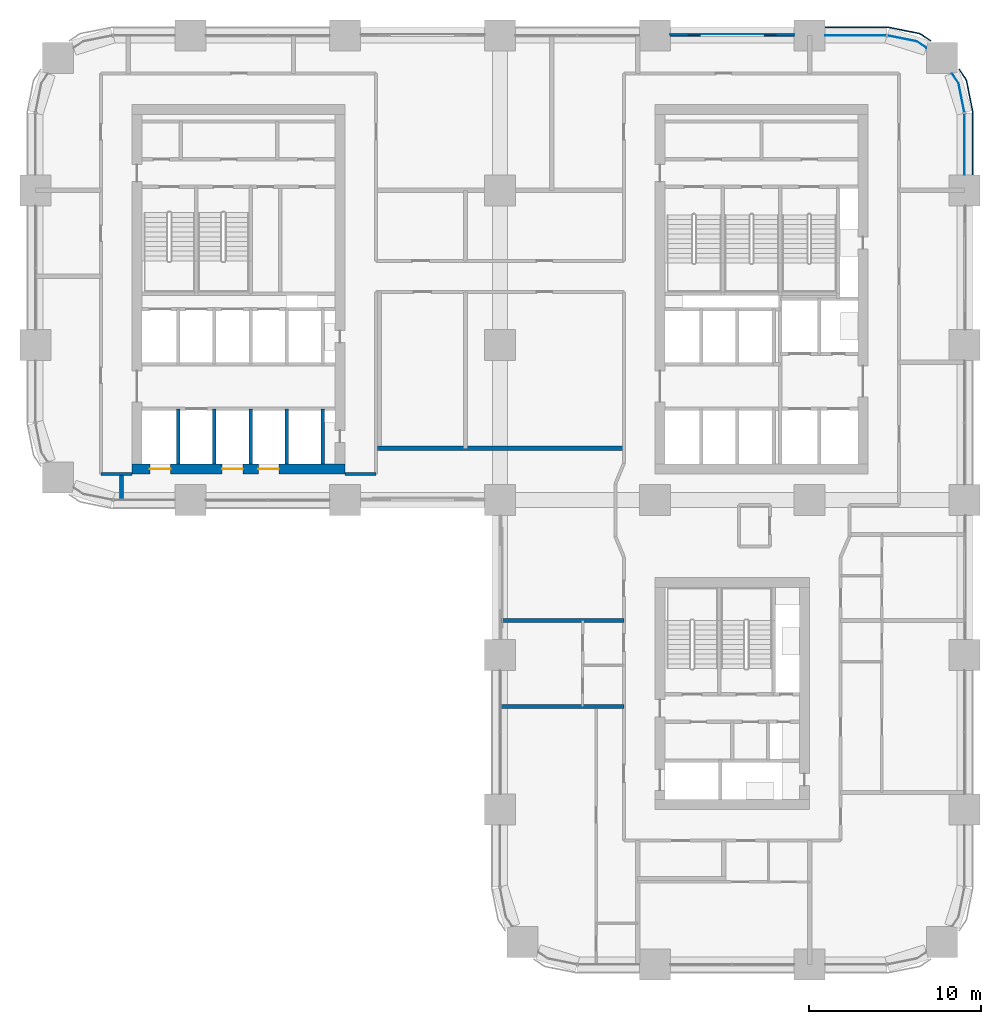
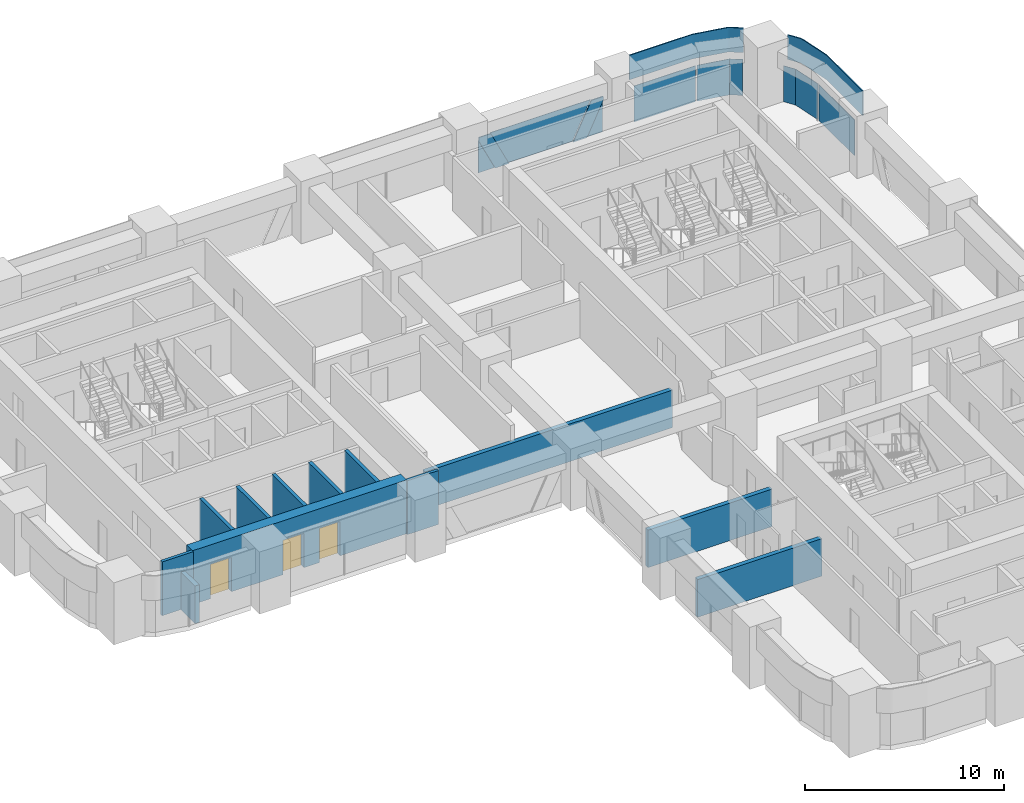
# One storey, part 12 of 20: 12 walls, 11 plates, 3 doors, 3 openings, 3 elements without a shape of their own.
"""IFC4 building model written with IfcOpenShell, lengths in metres."""

from ifc_helpers import new_model, si_unit, direction, frame, frame_2d, origin, origin_2d, place, context, subcontext, project, spatial, polyline, rectangle, outline, extrude, material, layer, layer_set, type_object, element, fill, aggregate, save


model = new_model("IFC4")

# Units and contexts
model_context = context("Model", 3, precision=1e-05, world=origin(), true_north=direction((0.0, 1.0)))
body_context = subcontext(model_context, "Body", "Model", "MODEL_VIEW")
ifc_project = project(units=[si_unit("LENGTHUNIT", "METRE"), si_unit("AREAUNIT", "SQUARE_METRE"), si_unit("VOLUMEUNIT", "CUBIC_METRE"), si_unit("PLANEANGLEUNIT", "RADIAN"), si_unit("MASSUNIT", "GRAM", prefix="KILO")], contexts=[model_context])

# Site, building, storey
site_placement = place(None, origin())
site = spatial("IfcSite", under=ifc_project, at=site_placement, CompositionType="ELEMENT")
building_placement = place(site_placement, origin())
building = spatial("IfcBuilding", under=site, at=building_placement, Name="Tessera Arch", CompositionType="ELEMENT")
storey_placement = place(building_placement, frame((0.0, 0.0, 119.60009765625)))
storey = spatial("IfcBuildingStorey", under=building, at=storey_placement, Name="L28", CompositionType="ELEMENT", Elevation=119.60009765625)

# Curtain wall, plates
ifc_material_1 = material(Name="CW2 curtain wall")
curtain_wall_type_1 = type_object("IfcCurtainWallType", Name="CW2 curtain wall", PredefinedType="NOTDEFINED", material=ifc_material_1)
curtain_wall_1_placement = place(storey_placement, origin())
curtain_wall_1 = element("IfcCurtainWall", 1, at=curtain_wall_1_placement, inside=storey, type_object=curtain_wall_type_1, Name="CW2 curtain wall E54.0/5 L28", PredefinedType="NOTDEFINED")
ifc_material_2 = material(Name="Clear low-e glass", Category="glass")
ifc_material_3 = material(Name="Clear low-e glass", Category="glass")
ifc_layer_1 = layer(ifc_material_3, 0.028076171875)
ifc_layer_set_1 = layer_set([ifc_layer_1], Name="CW2 glass panel")
plate_type_1 = type_object("IfcPlateType", Name="CW2 glass panel", PredefinedType="CURTAIN_PANEL", material=ifc_layer_set_1)
plate_1_placement = place(storey_placement, frame((54.0, 47.679931640625, 0.0), z_axis=(0.0, 0.0, 1.0), x_axis=(0.0, 1.0, 0.0)))
plate_1 = element("IfcPlate", 2, at=plate_1_placement, type_object=plate_type_1, material=ifc_material_2, Name="CW2 glass panel E54.0/5 1.1", PredefinedType="CURTAIN_PANEL", context=body_context, shape_type="SweptSolid", body=[
    extrude(rectangle(XDim=3.56005859375, YDim=0.028076171875, at=origin_2d()), origin(), (0.0, 0.0, 1.0), 2.199951171875),
])
plate_2_placement = place(storey_placement, origin())
plate_2 = element("IfcPlate", 3, at=plate_2_placement, type_object=plate_type_1, material=ifc_material_2, Name="CW2 curved glass panel E54.0/5 2.1", PredefinedType="CURTAIN_PANEL", context=body_context, shape_type="SweptSolid", body=[
    extrude(outline(polyline([(53.644287109375, 51.216552734375), (53.978515625, 49.53662109375), (54.005859375, 49.5419921875), (53.670654296875, 51.2275390625), (53.294921875, 51.789794921875), (53.271728515625, 51.774169921875), (53.644287109375, 51.216552734375)])), origin(), (0.0, 0.0, 1.0), 2.199951171875),
])

curtain_wall_2_placement = place(storey_placement, origin())
curtain_wall_2 = element("IfcCurtainWall", 4, at=curtain_wall_2_placement, inside=storey, type_object=curtain_wall_type_1, Name="CW2 curtain wall N54.0/5 L28", PredefinedType="NOTDEFINED")
plate_3_placement = place(storey_placement, frame((47.679931640625, 54.0, 0.0), z_axis=(0.0, 0.0, 1.0), x_axis=(-1.0, 0.0, 0.0)))
plate_3 = element("IfcPlate", 5, at=plate_3_placement, type_object=plate_type_1, material=ifc_material_2, Name="CW2 glass panel N54.0/5 1.1", PredefinedType="CURTAIN_PANEL", context=body_context, shape_type="SweptSolid", body=[
    extrude(rectangle(XDim=3.56005859375, YDim=0.028076171875, at=origin_2d()), origin(), (0.0, 0.0, 1.0), 2.199951171875),
])
plate_4_placement = place(storey_placement, origin())
plate_4 = element("IfcPlate", 6, at=plate_4_placement, type_object=plate_type_1, material=ifc_material_2, Name="CW2 curved glass panel N54.0/5 2.1", PredefinedType="CURTAIN_PANEL", context=body_context, shape_type="SweptSolid", body=[
    extrude(outline(polyline([(51.216552734375, 53.644287109375), (51.774169921875, 53.271728515625), (51.789794921875, 53.294921875), (51.2275390625, 53.670654296875), (49.5419921875, 54.005859375), (49.53662109375, 53.978515625), (51.216552734375, 53.644287109375)])), origin(), (0.0, 0.0, 1.0), 2.199951171875),
])

# Plate
ifc_material_4 = material(Name="Pale anodised aluminium panel", Category="aluminium")
ifc_layer_2 = layer(ifc_material_4, 0.06005859375)
ifc_layer_set_2 = layer_set([ifc_layer_2], Name="CW2 spandrel panel")
plate_type_2 = type_object("IfcPlateType", Name="CW2 spandrel panel", PredefinedType="CURTAIN_PANEL", material=ifc_layer_set_2)
plate_5_placement = place(storey_placement, frame((0.0, 0.0, 2.2998046875)))
plate_5 = element("IfcPlate", 7, at=plate_5_placement, type_object=plate_type_2, Name="CW2 spandrel panel E54.0/5", PredefinedType="CURTAIN_PANEL", context=body_context, shape_type="SweptSolid", body=[
    extrude(outline(polyline([(54.449951171875, 49.499267578125), (54.449951171875, 45.89990234375), (54.510009765625, 45.89990234375), (54.510009765625, 49.500732421875), (54.507568359375, 49.550048828125), (54.500244140625, 49.598876953125), (54.157470703125, 51.322265625), (54.1455078125, 51.3701171875), (54.128662109375, 51.417236328125), (54.107177734375, 51.462646484375), (54.08203125, 51.5048828125), (53.707275390625, 52.0654296875), (53.657470703125, 52.031982421875), (54.03125, 51.47265625), (54.05419921875, 51.434326171875), (54.0732421875, 51.394287109375), (54.088134765625, 51.352783203125), (54.09912109375, 51.30908203125), (54.441162109375, 49.588623046875), (54.44775390625, 49.544189453125), (54.449951171875, 49.499267578125)])), origin(), (0.0, 0.0, 1.0), 1.5),
])

aggregate(curtain_wall_1, [plate_1, plate_2, plate_5])

plate_6_placement = place(storey_placement, frame((0.0, 0.0, 2.2998046875)))
plate_6 = element("IfcPlate", 8, at=plate_6_placement, type_object=plate_type_2, Name="CW2 spandrel panel N54.0/5", PredefinedType="CURTAIN_PANEL", context=body_context, shape_type="SweptSolid", body=[
    extrude(outline(polyline([(51.47265625, 54.03125), (52.031982421875, 53.657470703125), (52.0654296875, 53.707275390625), (51.5048828125, 54.08203125), (51.462646484375, 54.107177734375), (51.417236328125, 54.128662109375), (51.3701171875, 54.1455078125), (51.322265625, 54.157470703125), (49.598876953125, 54.500244140625), (49.550048828125, 54.507568359375), (49.500732421875, 54.510009765625), (45.89990234375, 54.510009765625), (45.89990234375, 54.449951171875), (49.499267578125, 54.449951171875), (49.544189453125, 54.44775390625), (49.588623046875, 54.441162109375), (51.30908203125, 54.09912109375), (51.352783203125, 54.088134765625), (51.394287109375, 54.0732421875), (51.434326171875, 54.05419921875), (51.47265625, 54.03125)])), origin(), (0.0, 0.0, 1.0), 1.5),
])

aggregate(curtain_wall_2, [plate_3, plate_4, plate_6])

# Curtain wall, plates
ifc_material_5 = material(Name="CW3 curtain wall")
curtain_wall_type_2 = type_object("IfcCurtainWallType", Name="CW3 curtain wall", PredefinedType="NOTDEFINED", material=ifc_material_5)
curtain_wall_3_placement = place(storey_placement, origin())
curtain_wall_3 = element("IfcCurtainWall", 9, at=curtain_wall_3_placement, inside=storey, type_object=curtain_wall_type_2, Name="CW3 curtain wall N54.0/0 L28", PredefinedType="NOTDEFINED")
ifc_material_6 = material(Name="Pale anodised aluminium panel", Category="aluminium")
ifc_layer_3 = layer(ifc_material_6, 0.06005859375)
ifc_layer_set_3 = layer_set([ifc_layer_3], Name="CW3 diagonal panel")
plate_type_3 = type_object("IfcPlateType", Name="CW3 diagonal panel", PredefinedType="CURTAIN_PANEL", material=ifc_layer_set_3)
plate_7_placement = place(storey_placement, frame((36.89990234375, 54.030029296875, 2.199951171875), z_axis=(0.0, 1.0, 0.0), x_axis=(1.0, 0.0, 0.0)))
plate_7 = element("IfcPlate", 10, at=plate_7_placement, type_object=plate_type_3, Name="CW3 diagonal panel N54.0/0 1", PredefinedType="CURTAIN_PANEL", context=body_context, shape_type="SweptSolid", body=[
    extrude(outline(polyline([(0.0, 0.0), (0.688232421875, 0.0), (1.744140625, 2.199951171875), (0.944091796875, 2.199951171875), (0.0, 0.233642578125), (0.0, 0.0)])), origin(), (0.0, 0.0, -1.0), 0.06005859375),
])
plate_8_placement = place(storey_placement, frame((44.10009765625, 54.030029296875, 2.199951171875), z_axis=(0.0, 1.0, 0.0), x_axis=(0.0, 0.0, -1.0)))
plate_8 = element("IfcPlate", 11, at=plate_8_placement, type_object=plate_type_3, Name="CW3 diagonal panel N54.0/0 2", PredefinedType="CURTAIN_PANEL", context=body_context, shape_type="SweptSolid", body=[
    extrude(outline(polyline([(0.0, 0.0), (0.233642578125, 0.0), (2.199951171875, 0.944091796875), (2.199951171875, 1.744140625), (0.0, 0.688232421875), (0.0, 0.0)])), origin(), (0.0, 0.0, -1.0), 0.06005859375),
])
ifc_material_7 = material(Name="Clear low-e glass", Category="glass")
ifc_layer_4 = layer(ifc_material_7, 0.028076171875)
ifc_layer_set_4 = layer_set([ifc_layer_4], Name="CW3 glass panel")
plate_type_4 = type_object("IfcPlateType", Name="CW3 glass panel", PredefinedType="CURTAIN_PANEL", material=ifc_layer_set_4)
plate_9_placement = place(storey_placement, frame((44.10009765625, 54.05810546875, 0.0), z_axis=(0.0, 1.0, 0.0), x_axis=(-1.0, 0.0, 0.0)))
plate_9 = element("IfcPlate", 12, at=plate_9_placement, type_object=plate_type_4, material=ifc_material_2, Name="CW3 triangulated glass panel N54.0/0 1", PredefinedType="CURTAIN_PANEL", context=body_context, shape_type="SweptSolid", body=[
    extrude(outline(polyline([(0.0, 0.0), (0.944091796875, 0.0), (0.0, 1.96630859375), (0.0, 0.0)])), origin(), (0.0, 0.0, -1.0), 0.028076171875),
])
plate_10_placement = place(storey_placement, frame((37.588134765625, 54.0859375, 2.199951171875), z_axis=(0.0, 1.0, 0.0), x_axis=(1.0, 0.0, 0.0)))
plate_10 = element("IfcPlate", 13, at=plate_10_placement, type_object=plate_type_4, material=ifc_material_2, Name="CW3 triangulated glass panel N54.0/0 2", PredefinedType="CURTAIN_PANEL", context=body_context, shape_type="SweptSolid", body=[
    extrude(outline(polyline([(0.0, 0.0), (5.82373046875, 0.0), (4.767822265625, 2.199951171875), (1.055908203125, 2.199951171875), (0.0, 0.0)])), origin(), (0.0, 0.0, -1.0), 0.028076171875),
])
plate_11_placement = place(storey_placement, frame((36.89990234375, 54.05810546875, 0.0), z_axis=(0.0, 1.0, 0.0), x_axis=(0.0, 0.0, 1.0)))
plate_11 = element("IfcPlate", 14, at=plate_11_placement, type_object=plate_type_4, material=ifc_material_2, Name="CW3 triangulated glass panel N54.0/0 3", PredefinedType="CURTAIN_PANEL", context=body_context, shape_type="SweptSolid", body=[
    extrude(outline(polyline([(0.0, 0.0), (1.96630859375, 0.0), (0.0, 0.944091796875), (0.0, 0.0)])), origin(), (0.0, 0.0, -1.0), 0.028076171875),
])
aggregate(curtain_wall_3, [plate_9, plate_10, plate_11, plate_7, plate_8])

# Wall, openings, doors
ifc_material_8 = material(Name="Concrete C70/85", Category="concrete")
ifc_layer_5 = layer(ifc_material_8, 0.60009765625)
ifc_layer_set_5 = layer_set([ifc_layer_5], Name="Core shell wall 600 C70-85")
wall_type_1 = type_object("IfcWallType", Name="Core shell wall 600 C70-85", PredefinedType="SHEAR", material=ifc_layer_set_5)
wall_1_placement = place(storey_placement, frame((5.60009765625, 28.800048828125, 0.0), z_axis=(0.0, 0.0, 1.0), x_axis=(1.0, 0.0, 0.0)))
wall_1 = element("IfcWall", 15, at=wall_1_placement, inside=storey, type_object=wall_type_1, Name="L28 C2 core wall S", PredefinedType="SHEAR", context=body_context, shape_type="SweptSolid", body=[
    extrude(rectangle(XDim=12.39990234375, YDim=0.60009765625, at=frame_2d((6.199951171875, 0.0))), origin(), (0.0, 0.0, 1.0), 3.2998046875),
])
opening_1_placement = place(wall_1_placement, frame((1.050048828125, 0.0, 0.0)))
opening_1 = element("IfcOpeningElement", 16, at=opening_1_placement, cuts=wall_1, Name="Opening L28-C14", PredefinedType="OPENING", context=body_context, shape_type="SweptSolid", body=[
    extrude(rectangle(XDim=1.199951171875, YDim=2.10009765625, at=frame_2d((0.60009765625, 1.050048828125))), frame((0.0, 0.31005859375, 0.0), z_axis=(0.0, -1.0, 0.0), x_axis=(1.0, 0.0, 0.0)), (0.0, 0.0, 1.0), 0.6201171875),
])
opening_2_placement = place(wall_1_placement, frame((5.25, 0.0, 0.0)))
opening_2 = element("IfcOpeningElement", 17, at=opening_2_placement, cuts=wall_1, Name="Opening L28-C16", PredefinedType="OPENING", context=body_context, shape_type="SweptSolid", body=[
    extrude(rectangle(XDim=1.199951171875, YDim=2.10009765625, at=frame_2d((0.60009765625, 1.050048828125))), frame((0.0, 0.31005859375, 0.0), z_axis=(0.0, -1.0, 0.0), x_axis=(1.0, 0.0, 0.0)), (0.0, 0.0, 1.0), 0.6201171875),
])
opening_3_placement = place(wall_1_placement, frame((7.35009765625, 0.0, 0.0)))
opening_3 = element("IfcOpeningElement", 18, at=opening_3_placement, cuts=wall_1, Name="Opening L28-C17", PredefinedType="OPENING", context=body_context, shape_type="SweptSolid", body=[
    extrude(rectangle(XDim=1.199951171875, YDim=2.10009765625, at=frame_2d((0.60009765625, 1.050048828125))), frame((0.0, 0.31005859375, 0.0), z_axis=(0.0, -1.0, 0.0), x_axis=(1.0, 0.0, 0.0)), (0.0, 0.0, 1.0), 0.6201171875),
])
ifc_material_9 = material(Name="Stainless steel AISI 304", Category="steel")
door_type = type_object("IfcDoorType", Name="Sliding landing door 1200 x 2100", OperationType="SLIDING_TO_LEFT", PredefinedType="DOOR", material=ifc_material_9)
door_1_placement = place(opening_1_placement, origin())
door_1 = element("IfcDoor", 19, at=door_1_placement, inside=storey, type_object=door_type, Name="L28 LR1 lift landing door C14 type LD", OperationType="SLIDING_TO_LEFT", OverallHeight=2.10009765625, OverallWidth=1.199951171875, PredefinedType="DOOR", context=body_context, shape_type="SweptSolid", body=[
    extrude(rectangle(XDim=1.199951171875, YDim=2.10009765625, at=frame_2d((0.60009765625, 1.050048828125))), frame((0.0, 0.02490234375, 0.0), z_axis=(0.0, -1.0, 0.0), x_axis=(1.0, 0.0, 0.0)), (0.0, 0.0, 1.0), 0.050048828125),
])
fill(opening_1, door_1)
door_2_placement = place(opening_2_placement, origin())
door_2 = element("IfcDoor", 20, at=door_2_placement, inside=storey, type_object=door_type, Name="L28 LR3 lift landing door C16 type LD", OperationType="SLIDING_TO_LEFT", OverallHeight=2.10009765625, OverallWidth=1.199951171875, PredefinedType="DOOR", context=body_context, shape_type="SweptSolid", body=[
    extrude(rectangle(XDim=1.199951171875, YDim=2.10009765625, at=frame_2d((0.60009765625, 1.050048828125))), frame((0.0, 0.02490234375, 0.0), z_axis=(0.0, -1.0, 0.0), x_axis=(1.0, 0.0, 0.0)), (0.0, 0.0, 1.0), 0.050048828125),
])
fill(opening_2, door_2)
door_3_placement = place(opening_3_placement, origin())
door_3 = element("IfcDoor", 21, at=door_3_placement, inside=storey, type_object=door_type, Name="L28 LR4 lift landing door C17 type LD", OperationType="SLIDING_TO_LEFT", OverallHeight=2.10009765625, OverallWidth=1.199951171875, PredefinedType="DOOR", context=body_context, shape_type="SweptSolid", body=[
    extrude(rectangle(XDim=1.199951171875, YDim=2.10009765625, at=frame_2d((0.60009765625, 1.050048828125))), frame((0.0, 0.02490234375, 0.0), z_axis=(0.0, -1.0, 0.0), x_axis=(1.0, 0.0, 0.0)), (0.0, 0.0, 1.0), 0.050048828125),
])
fill(opening_3, door_3)

# Walls
ifc_material_10 = material(Name="Gypsum board on deep steel stud with mineral wool", Category="steel")
ifc_layer_6 = layer(ifc_material_10, 0.175048828125)
ifc_layer_set_6 = layer_set([ifc_layer_6], Name="Corridor wall 175 EI 60")
wall_type_2 = type_object("IfcWallType", Name="Corridor wall 175 EI 60", PredefinedType="PARTITIONING", material=ifc_layer_set_6)
for number, where, z_axis, x_axis, name in (
    (22, (3.800048828125, 28.5, 0.0), (0.0, 0.0, 1.0), (1.0, 0.0, 0.0), "L28 partition 5"),
    (23, (18.0, 28.5, 0.0), (0.0, 0.0, 1.0), (1.0, 0.0, 0.0), "L28 partition 6"),
):
    element("IfcWall", number, at=place(storey_placement, frame(where, z_axis=z_axis, x_axis=x_axis)), inside=storey, type_object=wall_type_2, Name=name, PredefinedType="PARTITIONING", context=body_context, shape_type="SweptSolid", body=[
        extrude(rectangle(XDim=1.800048828125, YDim=0.175048828125, at=frame_2d((0.89990234375, 0.0))), origin(), (0.0, 0.0, 1.0), 3.2998046875),
    ])
ifc_material_11 = material(Name="Double gypsum board on twin steel stud with acoustic mineral wool", Category="steel")
ifc_layer_7 = layer(ifc_material_11, 0.25)
ifc_layer_set_7 = layer_set([ifc_layer_7], Name="Party wall 250 EI 60")
wall_type_3 = type_object("IfcWallType", Name="Party wall 250 EI 60", PredefinedType="PARTITIONING", material=ifc_layer_set_7)
for number, where, z_axis, x_axis, name in (
    (24, (27.0, 15.0, 0.0), (0.0, 0.0, 1.0), (1.0, 0.0, 0.0), "L28 partition 30"),
    (25, (27.0, 20.0, 0.0), (0.0, 0.0, 1.0), (1.0, 0.0, 0.0), "L28 partition 31"),
):
    element("IfcWall", number, at=place(storey_placement, frame(where, z_axis=z_axis, x_axis=x_axis)), inside=storey, type_object=wall_type_3, Name=name, PredefinedType="PARTITIONING", context=body_context, shape_type="SweptSolid", body=[
        extrude(rectangle(XDim=7.199951171875, YDim=0.25, at=frame_2d((3.60009765625, 0.0))), origin(), (0.0, 0.0, 1.0), 2.2998046875),
    ])
wall_2_placement = place(storey_placement, frame((19.875, 30.0, 0.0), z_axis=(0.0, 0.0, 1.0), x_axis=(1.0, 0.0, 0.0)))
element("IfcWall", 26, at=wall_2_placement, inside=storey, type_object=wall_type_3, Name="L28 partition 34", PredefinedType="PARTITIONING", context=body_context, shape_type="SweptSolid", body=[
    extrude(rectangle(XDim=14.324951171875, YDim=0.25, at=frame_2d((7.16259765625, 0.0))), origin(), (0.0, 0.0, 1.0), 2.2998046875),
])
wall_3_placement = place(storey_placement, frame((5.0, 27.0, 0.0), z_axis=(0.0, 0.0, 1.0), x_axis=(0.0, 1.0, 0.0)))
element("IfcWall", 27, at=wall_3_placement, inside=storey, type_object=wall_type_3, Name="L28 partition 40", PredefinedType="PARTITIONING", context=body_context, shape_type="SweptSolid", body=[
    extrude(rectangle(XDim=1.5, YDim=0.25, at=frame_2d((0.75, 0.0))), origin(), (0.0, 0.0, 1.0), 2.2998046875),
])
ifc_material_12 = material(Name="Concrete C40/50", Category="concrete")
ifc_layer_8 = layer(ifc_material_12, 0.199951171875)
ifc_layer_set_8 = layer_set([ifc_layer_8], Name="Shaft wall 200 EI 120")
wall_type_4 = type_object("IfcWallType", Name="Shaft wall 200 EI 120", PredefinedType="SOLIDWALL", material=ifc_layer_set_8)
for number, where, z_axis, x_axis, name in (
    (28, (8.300048828125, 29.10009765625, 0.0), (0.0, 0.0, 1.0), (0.0, 1.0, 0.0), "L28 C2 shaft wall 1"),
    (29, (10.39990234375, 29.10009765625, 0.0), (0.0, 0.0, 1.0), (0.0, 1.0, 0.0), "L28 C2 shaft wall 6"),
    (30, (12.5, 29.10009765625, 0.0), (0.0, 0.0, 1.0), (0.0, 1.0, 0.0), "L28 C2 shaft wall 8"),
    (31, (14.60009765625, 29.10009765625, 0.0), (0.0, 0.0, 1.0), (0.0, 1.0, 0.0), "L28 C2 shaft wall 14"),
    (32, (16.699951171875, 29.10009765625, 0.0), (0.0, 0.0, 1.0), (0.0, 1.0, 0.0), "L28 C2 shaft wall 16"),
):
    element("IfcWall", number, at=place(storey_placement, frame(where, z_axis=z_axis, x_axis=x_axis)), inside=storey, type_object=wall_type_4, Name=name, PredefinedType="SOLIDWALL", context=body_context, shape_type="SweptSolid", body=[
        extrude(rectangle(XDim=3.199951171875, YDim=0.199951171875, at=frame_2d((1.60009765625, 0.0))), origin(), (0.0, 0.0, 1.0), 3.2998046875),
    ])

save(model, "model.ifc")
